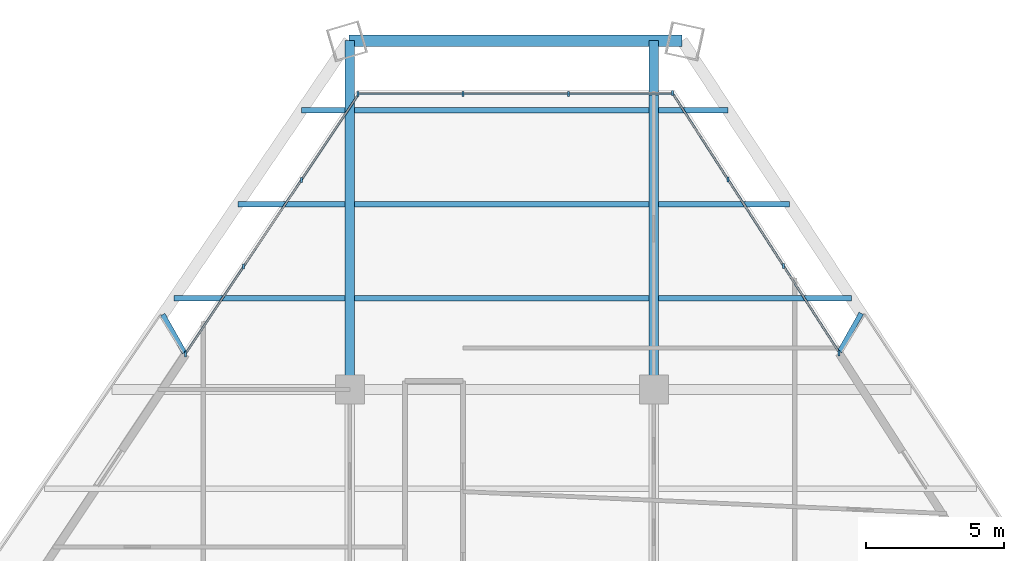
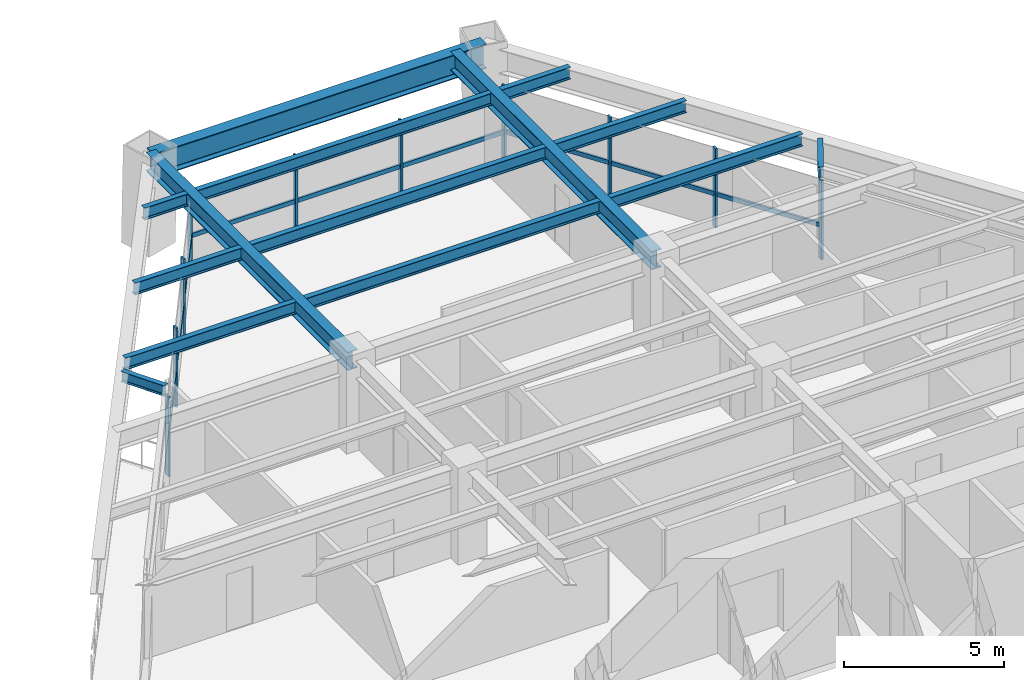
# One storey, part 8 of 15: 20 members, 14 beams, 3 elements without a shape of their own.
"""IFC4 building model written with IfcOpenShell, lengths in metres."""

import ifcopenshell
import ifcopenshell.guid

model = None  # the IFC model being written
_history = None  # IfcOwnerHistory: only IFC2X3 demands one
_inside = {}  # id of a spatial element -> (the spatial element, [elements in it])
_under = {}  # id of a project, library or spatial element -> (it, [spatial elements below it])
_declared = {}  # id of a project -> (the project, [libraries it declares])
_typed = {}  # id of a type object -> (the type object, [elements of that type])
_made_of = {}  # id of a material, layer set ... -> (it, [elements and type objects made of it])


def new_model(schema):
    """Start an empty IFC model of exactly this schema.

    Asked for "IFC4X3", IfcOpenShell would pick the latest addendum, in which some entities
    have other attributes; the version numbers below select the first issue.
    IFC2X3 requires an IfcOwnerHistory on every rooted entity: one is made here for all.
    """
    global model, _history
    if schema == "IFC4X3":
        model = ifcopenshell.file(schema_version=(4, 3, 0, 0))
    else:
        model = ifcopenshell.file(schema=schema)
    _inside.clear()
    _under.clear()
    _declared.clear()
    _typed.clear()
    _made_of.clear()
    _history = None
    if model.schema == "IFC2X3":
        org = make("IfcOrganization", Name="unknown")
        user = make(
            "IfcPersonAndOrganization",
            ThePerson=make("IfcPerson", FamilyName="unknown"),
            TheOrganization=org,
        )
        app = make(
            "IfcApplication",
            ApplicationDeveloper=org,
            Version="unknown",
            ApplicationFullName="unknown",
            ApplicationIdentifier="unknown",
        )
        _history = make(
            "IfcOwnerHistory",
            OwningUser=user,
            OwningApplication=app,
            ChangeAction="ADDED",
            CreationDate=0,
        )
    return model


def make(cls, **values):
    """One entity of the class cls with the attributes given. An attribute that is None is left unset."""
    return model.create_entity(
        cls, **{name: value for name, value in values.items() if value is not None}
    )


def rooted(cls, **values):
    """An entity with a GlobalId (a new one), such as an element, a storey or a relation."""
    return make(cls, GlobalId=ifcopenshell.guid.new(), OwnerHistory=_history, **values)


def si_unit(unit_type, name, prefix=None):
    """IfcSIUnit, for example si_unit("LENGTHUNIT", "METRE", prefix="MILLI")."""
    return make("IfcSIUnit", UnitType=unit_type, Prefix=prefix, Name=name)


def assignment(units):
    """IfcUnitAssignment: the units of a project."""
    return None if units is None else make("IfcUnitAssignment", Units=units)


def point(xyz):
    """IfcCartesianPoint."""
    return None if xyz is None else make("IfcCartesianPoint", Coordinates=xyz)


def direction(xyz):
    """IfcDirection."""
    return None if xyz is None else make("IfcDirection", DirectionRatios=xyz)


def frame(location, z_axis=None, x_axis=None):
    """IfcAxis2Placement3D, a coordinate frame: its origin and axes. An axis left out is left unset."""
    return make(
        "IfcAxis2Placement3D",
        Location=point(location),
        Axis=direction(z_axis),
        RefDirection=direction(x_axis),
    )


def frame_2d(location, x_axis=None):
    """IfcAxis2Placement2D, a coordinate frame in the plane: its origin and x axis."""
    return make(
        "IfcAxis2Placement2D", Location=point(location), RefDirection=direction(x_axis)
    )


def origin():
    """The frame at (0, 0, 0) with its axes left unset."""
    return frame((0.0, 0.0, 0.0))


def origin_2d():
    """The frame at (0, 0) in the plane with its x axis left unset."""
    return frame_2d((0.0, 0.0))


def place(relative_to, where):
    """IfcLocalPlacement: puts the frame where relative to a parent placement (None: the world)."""
    return make(
        "IfcLocalPlacement", PlacementRelTo=relative_to, RelativePlacement=where
    )


def context(
    kind, dimensions, precision=None, world=None, true_north=None, identifier=None
):
    """IfcGeometricRepresentationContext, for example the 3D "Model" context."""
    return make(
        "IfcGeometricRepresentationContext",
        ContextIdentifier=identifier,
        ContextType=kind,
        CoordinateSpaceDimension=dimensions,
        Precision=precision,
        WorldCoordinateSystem=world,
        TrueNorth=true_north,
    )


def subcontext(parent, identifier, kind, view, scale=None):
    """IfcGeometricRepresentationSubContext, for example "Body" below "Model"."""
    return make(
        "IfcGeometricRepresentationSubContext",
        ContextIdentifier=identifier,
        ContextType=kind,
        ParentContext=parent,
        TargetScale=scale,
        TargetView=view,
    )


def project(units=None, contexts=None):
    """IfcProject with its units and contexts."""
    return rooted(
        "IfcProject",
        Name="project",
        RepresentationContexts=contexts,
        UnitsInContext=assignment(units),
    )


def spatial(cls, under=None, at=None, **own):
    """A site, building, storey or space (cls), placed at a placement, below another one or the project."""
    s = rooted(cls, ObjectPlacement=at, **own)
    if under is not None:
        _under.setdefault(under.id(), (under, []))[1].append(s)
    return s


def profile(cls, at=None, kind="AREA", **sizes):
    """A parametric profile (cls). Its sizes go by their IFC names, for example OverallWidth=200.0."""
    return make(cls, ProfileType=kind, Position=at, **sizes)


def rectangle(**sizes):
    """IfcRectangleProfileDef."""
    return profile("IfcRectangleProfileDef", **sizes)


def i_section(**sizes):
    """IfcIShapeProfileDef."""
    return profile("IfcIShapeProfileDef", **sizes)


def extrude(swept, where, along, depth):
    """IfcExtrudedAreaSolid: the profile swept, set in the frame where, extruded along a direction by depth."""
    return make(
        "IfcExtrudedAreaSolid",
        SweptArea=swept,
        Position=where,
        ExtrudedDirection=direction(along),
        Depth=depth,
    )


def shape(context_of_items, identifier, shape_type, items):
    """IfcShapeRepresentation: the items that make up one representation, for example the "Body"."""
    return make(
        "IfcShapeRepresentation",
        ContextOfItems=context_of_items,
        RepresentationIdentifier=identifier,
        RepresentationType=shape_type,
        Items=items,
    )


def source(mapping_origin, context_of_items, identifier, shape_type, items):
    """IfcRepresentationMap: a shape defined once, which mapped items show again and again."""
    return make(
        "IfcRepresentationMap",
        MappingOrigin=mapping_origin,
        MappedRepresentation=shape(context_of_items, identifier, shape_type, items),
    )


def transform(
    local_origin,
    x_axis=None,
    y_axis=None,
    z_axis=None,
    scale=None,
    scale2=None,
    scale3=None,
    uniform=True,
):
    """IfcCartesianTransformationOperator3D, or its non-uniform kind. x_axis, y_axis, z_axis: its Axis1, 2, 3."""
    if uniform:
        return make(
            "IfcCartesianTransformationOperator3D",
            Axis1=direction(x_axis),
            Axis2=direction(y_axis),
            LocalOrigin=point(local_origin),
            Scale=scale,
            Axis3=direction(z_axis),
        )
    return make(
        "IfcCartesianTransformationOperator3DnonUniform",
        Axis1=direction(x_axis),
        Axis2=direction(y_axis),
        LocalOrigin=point(local_origin),
        Scale=scale,
        Axis3=direction(z_axis),
        Scale2=scale2,
        Scale3=scale3,
    )


def mapped(mapping_source, mapping_target):
    """IfcMappedItem: shows the shape of a source again, moved by a transform."""
    return make(
        "IfcMappedItem", MappingSource=mapping_source, MappingTarget=mapping_target
    )


def material(Name=None, Category=None):
    """IfcMaterial."""
    return make("IfcMaterial", Name=Name, Category=Category)


def material_profile(
    of_material, cross_section, Name=None, Category=None, Priority=None
):
    """IfcMaterialProfile: a cross section and its material."""
    return make(
        "IfcMaterialProfile",
        Name=Name,
        Material=of_material,
        Profile=cross_section,
        Priority=Priority,
        Category=Category,
    )


def profile_set(profiles, Name=None, composite=None):
    """IfcMaterialProfileSet."""
    return make(
        "IfcMaterialProfileSet",
        Name=Name,
        MaterialProfiles=profiles,
        CompositeProfile=composite,
    )


def made_of(thing, what):
    """Note that an element or type object is made of a material, layer set ...; save() writes the relation."""
    if what is not None:
        _made_of.setdefault(what.id(), (what, []))[1].append(thing)
    return thing


def type_object(cls, material=None, **own):
    """A type object (cls), such as IfcWallType, which elements share."""
    return made_of(rooted(cls, **own), material)


def type_shapes(of_type, sources):
    """Give a type object the sources (RepresentationMaps) that its elements show as mapped items."""
    of_type.RepresentationMaps = sources


def element(
    cls,
    number,
    at=None,
    inside=None,
    cuts=None,
    type_object=None,
    material=None,
    context=None,
    identifier="Body",
    shape_type=None,
    held_by="IfcProductDefinitionShape",
    body=None,
    shapes=None,
    **own,
):
    """One element of the class cls, such as IfcWall. Its Tag is "e" and its number.

    at: its placement. inside: the storey or other place that contains it. cuts: it is an
    opening in that element (IfcRelVoidsElement). A single representation is given by context,
    identifier, shape_type and body (its items); several are given by shapes. held_by: the class
    of the entity that holds the representations. save() writes the other relations.
    """
    e = rooted(cls, Tag="e%d" % number, ObjectPlacement=at, **own)
    if body is not None:
        shapes = [shape(context, identifier, shape_type, body)]
    if shapes is not None:
        e.Representation = make(held_by, Representations=shapes)
    if inside is not None:
        _inside.setdefault(inside.id(), (inside, []))[1].append(e)
    if cuts is not None:
        rooted(
            "IfcRelVoidsElement", RelatingBuildingElement=cuts, RelatedOpeningElement=e
        )
    if type_object is not None:
        _typed.setdefault(type_object.id(), (type_object, []))[1].append(e)
    return made_of(e, material)


def aggregate(whole, parts):
    """IfcRelAggregates: a whole, such as a stair, and the parts it consists of."""
    return rooted("IfcRelAggregates", RelatingObject=whole, RelatedObjects=parts)


def save(model, path):
    """Write the relations noted so far, then the file.

    IfcRelAggregates (storeys below a building ...), IfcRelContainedInSpatialStructure (elements
    in a storey), IfcRelDefinesByType, IfcRelAssociatesMaterial and IfcRelDeclares: one each for
    every whole, place, type object, material and project.
    """
    for whole, parts in _under.values():
        aggregate(whole, parts)
    for where, things in _inside.values():
        rooted(
            "IfcRelContainedInSpatialStructure",
            RelatedElements=things,
            RelatingStructure=where,
        )
    for kind, things in _typed.values():
        rooted("IfcRelDefinesByType", RelatedObjects=things, RelatingType=kind)
    for what, things in _made_of.values():
        rooted("IfcRelAssociatesMaterial", RelatedObjects=things, RelatingMaterial=what)
    for by, libraries in _declared.values():
        rooted("IfcRelDeclares", RelatingContext=by, RelatedDefinitions=libraries)
    model.write(path)


model = new_model("IFC4")

# Units and contexts
model_context = context("Model", 3, precision=1e-05, world=origin(), true_north=direction((0.0, 1.0)))
body_context = subcontext(model_context, "Body", "Model", "MODEL_VIEW")
ifc_project = project(units=[si_unit("LENGTHUNIT", "METRE"), si_unit("AREAUNIT", "SQUARE_METRE"), si_unit("VOLUMEUNIT", "CUBIC_METRE"), si_unit("PLANEANGLEUNIT", "RADIAN"), si_unit("MASSUNIT", "GRAM", prefix="KILO")], contexts=[model_context])

# Site, building, storey
site_placement = place(None, origin())
site = spatial("IfcSite", under=ifc_project, at=site_placement, CompositionType="ELEMENT")
building_placement = place(site_placement, origin())
building = spatial("IfcBuilding", under=site, at=building_placement, Name="Varnakhor Terracotta Tower", CompositionType="ELEMENT")
storey_placement = place(building_placement, frame((0.0, 0.0, 109.89990234375)))
storey = spatial("IfcBuildingStorey", under=building, at=storey_placement, Name="L27", CompositionType="ELEMENT", Elevation=109.89990234375)

# Beams
ifc_material_1 = material(Name="Steel S355", Category="steel")
ifc_material_profile_1 = material_profile(ifc_material_1, i_section(OverallWidth=0.19189453125, OverallDepth=0.462890625, WebThickness=0.010498046875, FlangeThickness=0.017578125, FilletRadius=0.01806640625, at=origin_2d()), Name="W18X60")
ifc_profile_set_1 = profile_set([ifc_material_profile_1], Name="Steel S355")
beam_type_1 = type_object("IfcBeamType", Name="JST-W18X60", PredefinedType="JOIST", material=ifc_profile_set_1)
shared_shape_1 = source(origin(), body_context, "Body", "SweptSolid", [
    extrude(i_section(OverallWidth=0.19189453125, OverallDepth=0.462890625, WebThickness=0.010498046875, FlangeThickness=0.017578125, FilletRadius=0.01806640625, at=origin_2d()), origin(), (0.0, 0.0, 1.0), 10.65283203125),
])
for number, where, z_axis, x_axis, name in (
    (1, (-5.326416015625, 34.800048828125, 3.218505859375), (1.0, 0.0, 0.0), (0.0, 1.0, 0.0), "L27 Composite Floor Joist 7-2"),
    (2, (-5.326416015625, 38.199951171875, 3.218505859375), (1.0, 0.0, 0.0), (0.0, 1.0, 0.0), "L27 Composite Floor Joist 8-2"),
    (3, (-5.326416015625, 41.60009765625, 3.218505859375), (1.0, 0.0, 0.0), (0.0, 1.0, 0.0), "L27 Composite Floor Joist 9-2"),
):
    element("IfcBeam", number, at=place(storey_placement, frame(where, z_axis=z_axis, x_axis=x_axis)), inside=storey, type_object=beam_type_1, Name=name, PredefinedType="JOIST", context=body_context, shape_type="MappedRepresentation", body=[
        mapped(shared_shape_1, transform((0.0, 0.0, 0.0), scale=1.0)),
    ])
ifc_material_profile_2 = material_profile(ifc_material_1, i_section(OverallWidth=0.41796875, OverallDepth=0.927001953125, WebThickness=0.01904296875, FlangeThickness=0.031982421875, FilletRadius=0.01806640625, at=origin_2d()), Name="W36X231")
ifc_profile_set_2 = profile_set([ifc_material_profile_2], Name="Steel S355")
beam_type_2 = type_object("IfcBeamType", Name="BM-W36X231", PredefinedType="BEAM", material=ifc_profile_set_2)
shared_shape_2 = source(origin(), body_context, "Body", "SweptSolid", [
    extrude(i_section(OverallWidth=0.41796875, OverallDepth=0.927001953125, WebThickness=0.01904296875, FlangeThickness=0.031982421875, FilletRadius=0.01806640625, at=origin_2d()), origin(), (0.0, 0.0, 1.0), 12.051025390625),
])
beam_1_placement = place(storey_placement, frame((6.5205078125, 44.118408203125, 2.986572265625), z_axis=(-1.0, 0.0, 0.0), x_axis=(0.0, -1.0, 0.0)))
element("IfcBeam", 4, at=beam_1_placement, inside=storey, type_object=beam_type_2, Name="L27 Perimeter Spandrel 5", PredefinedType="BEAM", context=body_context, shape_type="MappedRepresentation", body=[
    mapped(shared_shape_2, transform((0.0, 0.0, 0.0), scale=1.0)),
])
ifc_material_profile_3 = material_profile(ifc_material_1, i_section(OverallWidth=0.35498046875, OverallDepth=0.695068359375, WebThickness=0.014892578125, FlangeThickness=0.02490234375, FilletRadius=0.01806640625, at=origin_2d()), Name="W27X146")
ifc_profile_set_3 = profile_set([ifc_material_profile_3], Name="Steel S355")
beam_type_3 = type_object("IfcBeamType", Name="BM-W27X146", PredefinedType="BEAM", material=ifc_profile_set_3)
shared_shape_3 = source(origin(), body_context, "Body", "SweptSolid", [
    extrude(i_section(OverallWidth=0.35498046875, OverallDepth=0.695068359375, WebThickness=0.014892578125, FlangeThickness=0.02490234375, FilletRadius=0.01806640625, at=origin_2d()), origin(), (0.0, 0.0, 1.0), 12.618408203125),
])
for number, where, z_axis, x_axis, name in (
    (5, (-5.5, 31.5, 3.1025390625), (0.0, 1.0, 0.0), (-1.0, 0.0, 0.0), "L27 Primary Girder NS3-W"),
    (6, (5.5, 31.5, 3.1025390625), (0.0, 1.0, 0.0), (-1.0, 0.0, 0.0), "L27 Primary Girder NS3-E"),
):
    element("IfcBeam", number, at=place(storey_placement, frame(where, z_axis=z_axis, x_axis=x_axis)), inside=storey, type_object=beam_type_3, Name=name, PredefinedType="BEAM", context=body_context, shape_type="MappedRepresentation", body=[
        mapped(shared_shape_3, transform((0.0, 0.0, 0.0), scale=1.0)),
    ])
shared_shape_4 = source(origin(), body_context, "Body", "SweptSolid", [
    extrude(i_section(OverallWidth=0.19189453125, OverallDepth=0.462890625, WebThickness=0.010498046875, FlangeThickness=0.017578125, FilletRadius=0.01806640625, at=origin_2d()), origin(), (0.0, 0.0, 1.0), 6.1904296875),
])
beam_2_placement = place(storey_placement, frame((-11.864013671875, 34.800048828125, 3.218505859375), z_axis=(1.0, 0.0, 0.0), x_axis=(0.0, 1.0, 0.0)))
element("IfcBeam", 7, at=beam_2_placement, inside=storey, type_object=beam_type_1, Name="L27 Composite Floor Joist 7-1", PredefinedType="JOIST", context=body_context, shape_type="MappedRepresentation", body=[
    mapped(shared_shape_4, transform((0.0, 0.0, 0.0), scale=1.0)),
])
shared_shape_5 = source(origin(), body_context, "Body", "SweptSolid", [
    extrude(i_section(OverallWidth=0.19189453125, OverallDepth=0.462890625, WebThickness=0.010498046875, FlangeThickness=0.017578125, FilletRadius=0.01806640625, at=origin_2d()), origin(), (0.0, 0.0, 1.0), 6.97119140625),
])
beam_3_placement = place(storey_placement, frame((5.673583984375, 34.800048828125, 3.218505859375), z_axis=(1.0, 0.0, 0.0), x_axis=(0.0, 1.0, 0.0)))
element("IfcBeam", 8, at=beam_3_placement, inside=storey, type_object=beam_type_1, Name="L27 Composite Floor Joist 7-3", PredefinedType="JOIST", context=body_context, shape_type="MappedRepresentation", body=[
    mapped(shared_shape_5, transform((0.0, 0.0, 0.0), scale=1.0)),
])
shared_shape_6 = source(origin(), body_context, "Body", "SweptSolid", [
    extrude(i_section(OverallWidth=0.19189453125, OverallDepth=0.462890625, WebThickness=0.010498046875, FlangeThickness=0.017578125, FilletRadius=0.01806640625, at=origin_2d()), origin(), (0.0, 0.0, 1.0), 3.87939453125),
])
beam_4_placement = place(storey_placement, frame((-9.552978515625, 38.199951171875, 3.218505859375), z_axis=(1.0, 0.0, 0.0), x_axis=(0.0, 1.0, 0.0)))
element("IfcBeam", 9, at=beam_4_placement, inside=storey, type_object=beam_type_1, Name="L27 Composite Floor Joist 8-1", PredefinedType="JOIST", context=body_context, shape_type="MappedRepresentation", body=[
    mapped(shared_shape_6, transform((0.0, 0.0, 0.0), scale=1.0)),
])
shared_shape_7 = source(origin(), body_context, "Body", "SweptSolid", [
    extrude(i_section(OverallWidth=0.19189453125, OverallDepth=0.462890625, WebThickness=0.010498046875, FlangeThickness=0.017578125, FilletRadius=0.01806640625, at=origin_2d()), origin(), (0.0, 0.0, 1.0), 4.736572265625),
])
beam_5_placement = place(storey_placement, frame((5.673583984375, 38.199951171875, 3.218505859375), z_axis=(1.0, 0.0, 0.0), x_axis=(0.0, 1.0, 0.0)))
element("IfcBeam", 10, at=beam_5_placement, inside=storey, type_object=beam_type_1, Name="L27 Composite Floor Joist 8-3", PredefinedType="JOIST", context=body_context, shape_type="MappedRepresentation", body=[
    mapped(shared_shape_7, transform((0.0, 0.0, 0.0), scale=1.0)),
])
shared_shape_8 = source(origin(), body_context, "Body", "SweptSolid", [
    extrude(i_section(OverallWidth=0.19189453125, OverallDepth=0.462890625, WebThickness=0.010498046875, FlangeThickness=0.017578125, FilletRadius=0.01806640625, at=origin_2d()), origin(), (0.0, 0.0, 1.0), 1.568603515625),
])
beam_6_placement = place(storey_placement, frame((-7.2421875, 41.60009765625, 3.218505859375), z_axis=(1.0, 0.0, 0.0), x_axis=(0.0, 1.0, 0.0)))
element("IfcBeam", 11, at=beam_6_placement, inside=storey, type_object=beam_type_1, Name="L27 Composite Floor Joist 9-1", PredefinedType="JOIST", context=body_context, shape_type="MappedRepresentation", body=[
    mapped(shared_shape_8, transform((0.0, 0.0, 0.0), scale=1.0)),
])
shared_shape_9 = source(origin(), body_context, "Body", "SweptSolid", [
    extrude(i_section(OverallWidth=0.19189453125, OverallDepth=0.462890625, WebThickness=0.010498046875, FlangeThickness=0.017578125, FilletRadius=0.01806640625, at=origin_2d()), origin(), (0.0, 0.0, 1.0), 2.501953125),
])
beam_7_placement = place(storey_placement, frame((5.673583984375, 41.60009765625, 3.218505859375), z_axis=(1.0, 0.0, 0.0), x_axis=(0.0, 1.0, 0.0)))
element("IfcBeam", 12, at=beam_7_placement, inside=storey, type_object=beam_type_1, Name="L27 Composite Floor Joist 9-3", PredefinedType="JOIST", context=body_context, shape_type="MappedRepresentation", body=[
    mapped(shared_shape_9, transform((0.0, 0.0, 0.0), scale=1.0)),
])

# Curtain wall, members
ifc_material_2 = material(Name="Anodised Aluminium Curtain Wall System", Category="aluminium")
curtain_wall_type = type_object("IfcCurtainWallType", Name="CW-SYS-LOW-OFFICE", PredefinedType="NOTDEFINED", material=ifc_material_2)
curtain_wall_1_placement = place(storey_placement, origin())
curtain_wall_1 = element("IfcCurtainWall", 13, at=curtain_wall_1_placement, inside=storey, type_object=curtain_wall_type, Name="L27 W Facet Curtain Wall 2", PredefinedType="NOTDEFINED")
ifc_material_3 = material(Name="Anodised Aluminium 6063-T6", Category="aluminium")
ifc_material_profile_4 = material_profile(ifc_material_3, rectangle(XDim=0.074951171875, YDim=0.18505859375, at=origin_2d()), Name="ALU MULLION 75x185")
ifc_profile_set_4 = profile_set([ifc_material_profile_4], Name="Anodised Aluminium 6063-T6")
member_type_1 = type_object("IfcMemberType", Name="CWM-02", PredefinedType="MULLION", material=ifc_profile_set_4)
shared_shape_10 = source(origin(), body_context, "Body", "SweptSolid", [
    extrude(rectangle(XDim=0.074951171875, YDim=0.18505859375, at=origin_2d()), origin(), (0.0, 0.0, 1.0), 3.030029296875),
])
type_shapes(member_type_1, [shared_shape_10])
member_1_placement = place(storey_placement, frame((-11.437255859375, 32.799072265625, 0.0), z_axis=(0.0, 0.0, 1.0), x_axis=(1.0, 0.0, 0.0)))
member_1 = element("IfcMember", 14, at=member_1_placement, type_object=member_type_1, Name="L27 W Facet Curtain Wall 2 Mullion 1", PredefinedType="MULLION", context=body_context, shape_type="MappedRepresentation", body=[
    mapped(shared_shape_10, transform((0.0, 0.0, 0.0), scale=1.0)),
])
member_2_placement = place(storey_placement, frame((-9.343017578125, 35.939697265625, 0.0), z_axis=(0.0, 0.0, 1.0), x_axis=(1.0, 0.0, 0.0)))
member_2 = element("IfcMember", 15, at=member_2_placement, type_object=member_type_1, Name="L27 W Facet Curtain Wall 2 Mullion 2", PredefinedType="MULLION", context=body_context, shape_type="MappedRepresentation", body=[
    mapped(shared_shape_10, transform((0.0, 0.0, 0.0), scale=1.0)),
])
member_3_placement = place(storey_placement, frame((-7.248779296875, 39.080322265625, 0.0), z_axis=(0.0, 0.0, 1.0), x_axis=(1.0, 0.0, 0.0)))
member_3 = element("IfcMember", 16, at=member_3_placement, type_object=member_type_1, Name="L27 W Facet Curtain Wall 2 Mullion 3", PredefinedType="MULLION", context=body_context, shape_type="MappedRepresentation", body=[
    mapped(shared_shape_10, transform((0.0, 0.0, 0.0), scale=1.0)),
])
member_4_placement = place(storey_placement, frame((-11.437255859375, 32.76318359375, 0.0), z_axis=(0.0, 0.0, 1.0), x_axis=(1.0, 0.0, 0.0)))
member_4 = element("IfcMember", 17, at=member_4_placement, type_object=member_type_1, Name="L27 W Loggia Jamb Closure Mullion 2", PredefinedType="MULLION", context=body_context, shape_type="MappedRepresentation", body=[
    mapped(shared_shape_10, transform((0.0, 0.0, 0.0), scale=1.0)),
])

curtain_wall_2_placement = place(storey_placement, origin())
curtain_wall_2 = element("IfcCurtainWall", 18, at=curtain_wall_2_placement, inside=storey, type_object=curtain_wall_type, Name="L27 Facet Curtain Wall 2", PredefinedType="NOTDEFINED")
member_5_placement = place(storey_placement, frame((-5.20751953125, 42.192626953125, 0.0), z_axis=(0.0, 0.0, 1.0), x_axis=(1.0, 0.0, 0.0)))
member_5 = element("IfcMember", 19, at=member_5_placement, type_object=member_type_1, Name="L27 Facet Curtain Wall 2 Mullion 1", PredefinedType="MULLION", context=body_context, shape_type="MappedRepresentation", body=[
    mapped(shared_shape_10, transform((0.0, 0.0, 0.0), scale=1.0)),
])
member_6_placement = place(storey_placement, frame((-1.395751953125, 42.192626953125, 0.0), z_axis=(0.0, 0.0, 1.0), x_axis=(1.0, 0.0, 0.0)))
member_6 = element("IfcMember", 20, at=member_6_placement, type_object=member_type_1, Name="L27 Facet Curtain Wall 2 Mullion 2", PredefinedType="MULLION", context=body_context, shape_type="MappedRepresentation", body=[
    mapped(shared_shape_10, transform((0.0, 0.0, 0.0), scale=1.0)),
])
member_7_placement = place(storey_placement, frame((2.416015625, 42.192626953125, 0.0), z_axis=(0.0, 0.0, 1.0), x_axis=(1.0, 0.0, 0.0)))
member_7 = element("IfcMember", 21, at=member_7_placement, type_object=member_type_1, Name="L27 Facet Curtain Wall 2 Mullion 3", PredefinedType="MULLION", context=body_context, shape_type="MappedRepresentation", body=[
    mapped(shared_shape_10, transform((0.0, 0.0, 0.0), scale=1.0)),
])

curtain_wall_3_placement = place(storey_placement, origin())
curtain_wall_3 = element("IfcCurtainWall", 22, at=curtain_wall_3_placement, inside=storey, type_object=curtain_wall_type, Name="L27 E Facet Curtain Wall 1", PredefinedType="NOTDEFINED")
member_8_placement = place(storey_placement, frame((6.173095703125, 42.222412109375, 0.0), z_axis=(0.0, 0.0, 1.0), x_axis=(1.0, 0.0, 0.0)))
member_8 = element("IfcMember", 23, at=member_8_placement, type_object=member_type_1, Name="L27 E Facet Curtain Wall 1 Mullion 1", PredefinedType="MULLION", context=body_context, shape_type="MappedRepresentation", body=[
    mapped(shared_shape_10, transform((0.0, 0.0, 0.0), scale=1.0)),
])
member_9_placement = place(storey_placement, frame((8.182861328125, 39.095458984375, 0.0), z_axis=(0.0, 0.0, 1.0), x_axis=(1.0, 0.0, 0.0)))
member_9 = element("IfcMember", 24, at=member_9_placement, type_object=member_type_1, Name="L27 E Facet Curtain Wall 1 Mullion 2", PredefinedType="MULLION", context=body_context, shape_type="MappedRepresentation", body=[
    mapped(shared_shape_10, transform((0.0, 0.0, 0.0), scale=1.0)),
])
member_10_placement = place(storey_placement, frame((10.192626953125, 35.968505859375, 0.0), z_axis=(0.0, 0.0, 1.0), x_axis=(1.0, 0.0, 0.0)))
member_10 = element("IfcMember", 25, at=member_10_placement, type_object=member_type_1, Name="L27 E Facet Curtain Wall 1 Mullion 3", PredefinedType="MULLION", context=body_context, shape_type="MappedRepresentation", body=[
    mapped(shared_shape_10, transform((0.0, 0.0, 0.0), scale=1.0)),
])
member_11_placement = place(storey_placement, frame((12.201904296875, 32.8056640625, 0.0), z_axis=(0.0, 0.0, 1.0), x_axis=(1.0, 0.0, 0.0)))
member_11 = element("IfcMember", 26, at=member_11_placement, type_object=member_type_1, Name="L27 E Loggia Jamb Closure Mullion 1", PredefinedType="MULLION", context=body_context, shape_type="MappedRepresentation", body=[
    mapped(shared_shape_10, transform((0.0, 0.0, 0.0), scale=1.0)),
])

# Member
ifc_material_profile_5 = material_profile(ifc_material_3, rectangle(XDim=0.074951171875, YDim=0.1650390625, at=origin_2d()), Name="ALU TRANSOM 75x165")
ifc_profile_set_5 = profile_set([ifc_material_profile_5], Name="Anodised Aluminium 6063-T6")
member_type_2 = type_object("IfcMemberType", Name="CWT-02", PredefinedType="USERDEFINED", material=ifc_profile_set_5)
shared_shape_11 = source(origin(), body_context, "Body", "SweptSolid", [
    extrude(rectangle(XDim=0.074951171875, YDim=0.1650390625, at=origin_2d()), origin(), (0.0, 0.0, 1.0), 3.77490234375),
])
member_12_placement = place(storey_placement, frame((-11.437255859375, 32.799072265625, 1.272705078125), z_axis=(0.554789744238, 0.831990588702, 0.0), x_axis=(-0.831990588702, 0.554789744238, 0.0)))
member_12 = element("IfcMember", 27, at=member_12_placement, type_object=member_type_2, Name="L27 W Facet Curtain Wall 2 Transom 1", ObjectType="TRANSOM", PredefinedType="USERDEFINED", context=body_context, shape_type="MappedRepresentation", body=[
    mapped(shared_shape_11, transform((0.0, 0.0, 0.0), scale=1.0)),
])

member_13_placement = place(storey_placement, frame((-9.343017578125, 35.939697265625, 1.272705078125), z_axis=(0.554789744238, 0.831990588702, 0.0), x_axis=(-0.831990588702, 0.554789744238, 0.0)))
member_13 = element("IfcMember", 28, at=member_13_placement, type_object=member_type_2, Name="L27 W Facet Curtain Wall 2 Transom 2", ObjectType="TRANSOM", PredefinedType="USERDEFINED", context=body_context, shape_type="MappedRepresentation", body=[
    mapped(shared_shape_11, transform((0.0, 0.0, 0.0), scale=1.0)),
])

shared_shape_12 = source(origin(), body_context, "Body", "SweptSolid", [
    extrude(rectangle(XDim=0.074951171875, YDim=0.1650390625, at=origin_2d()), origin(), (0.0, 0.0, 1.0), 3.775146484375),
])
member_14_placement = place(storey_placement, frame((-7.248779296875, 39.080322265625, 1.272705078125), z_axis=(0.554804658913, 0.831980643073, 0.0), x_axis=(-0.831980643073, 0.554804658913, 0.0)))
member_14 = element("IfcMember", 29, at=member_14_placement, type_object=member_type_2, Name="L27 W Facet Curtain Wall 2 Transom 3", ObjectType="TRANSOM", PredefinedType="USERDEFINED", context=body_context, shape_type="MappedRepresentation", body=[
    mapped(shared_shape_12, transform((0.0, 0.0, 0.0), scale=1.0)),
])

aggregate(curtain_wall_1, [member_1, member_12, member_2, member_13, member_3, member_14, member_4])

shared_shape_13 = source(origin(), body_context, "Body", "SweptSolid", [
    extrude(rectangle(XDim=0.074951171875, YDim=0.1650390625, at=origin_2d()), origin(), (0.0, 0.0, 1.0), 3.811767578125),
])
member_15_placement = place(storey_placement, frame((-5.20751953125, 42.192626953125, 1.272705078125), z_axis=(1.0, 0.0, 0.0), x_axis=(0.0, 1.0, 0.0)))
member_15 = element("IfcMember", 30, at=member_15_placement, type_object=member_type_2, Name="L27 Facet Curtain Wall 2 Transom 1", ObjectType="TRANSOM", PredefinedType="USERDEFINED", context=body_context, shape_type="MappedRepresentation", body=[
    mapped(shared_shape_13, transform((0.0, 0.0, 0.0), scale=1.0)),
])

member_16_placement = place(storey_placement, frame((-1.395751953125, 42.192626953125, 1.272705078125), z_axis=(1.0, 0.0, 0.0), x_axis=(0.0, 1.0, 0.0)))
member_16 = element("IfcMember", 31, at=member_16_placement, type_object=member_type_2, Name="L27 Facet Curtain Wall 2 Transom 2", ObjectType="TRANSOM", PredefinedType="USERDEFINED", context=body_context, shape_type="MappedRepresentation", body=[
    mapped(shared_shape_13, transform((0.0, 0.0, 0.0), scale=1.0)),
])

member_17_placement = place(storey_placement, frame((2.416015625, 42.192626953125, 1.272705078125), z_axis=(1.0, 0.0, 0.0), x_axis=(0.0, 1.0, 0.0)))
member_17 = element("IfcMember", 32, at=member_17_placement, type_object=member_type_2, Name="L27 Facet Curtain Wall 2 Transom 3", ObjectType="TRANSOM", PredefinedType="USERDEFINED", context=body_context, shape_type="MappedRepresentation", body=[
    mapped(shared_shape_13, transform((0.0, 0.0, 0.0), scale=1.0)),
])

aggregate(curtain_wall_2, [member_5, member_15, member_6, member_16, member_7, member_17])

shared_shape_14 = source(origin(), body_context, "Body", "SweptSolid", [
    extrude(rectangle(XDim=0.074951171875, YDim=0.1650390625, at=origin_2d()), origin(), (0.0, 0.0, 1.0), 3.717041015625),
])
member_18_placement = place(storey_placement, frame((6.173095703125, 42.222412109375, 1.272705078125), z_axis=(0.540677919262, -0.841229687792, 0.0), x_axis=(0.841229687792, 0.540677919262, 0.0)))
member_18 = element("IfcMember", 33, at=member_18_placement, type_object=member_type_2, Name="L27 E Facet Curtain Wall 1 Transom 1", ObjectType="TRANSOM", PredefinedType="USERDEFINED", context=body_context, shape_type="MappedRepresentation", body=[
    mapped(shared_shape_14, transform((0.0, 0.0, 0.0), scale=1.0)),
])

member_19_placement = place(storey_placement, frame((8.182861328125, 39.095458984375, 1.272705078125), z_axis=(0.540677919262, -0.841229687792, 0.0), x_axis=(0.841229687792, 0.540677919262, 0.0)))
member_19 = element("IfcMember", 34, at=member_19_placement, type_object=member_type_2, Name="L27 E Facet Curtain Wall 1 Transom 2", ObjectType="TRANSOM", PredefinedType="USERDEFINED", context=body_context, shape_type="MappedRepresentation", body=[
    mapped(shared_shape_14, transform((0.0, 0.0, 0.0), scale=1.0)),
])

member_20_placement = place(storey_placement, frame((10.192626953125, 35.968505859375, 1.272705078125), z_axis=(0.540677919262, -0.841229687792, 0.0), x_axis=(0.841229687792, 0.540677919262, 0.0)))
member_20 = element("IfcMember", 35, at=member_20_placement, type_object=member_type_2, Name="L27 E Facet Curtain Wall 1 Transom 3", ObjectType="TRANSOM", PredefinedType="USERDEFINED", context=body_context, shape_type="MappedRepresentation", body=[
    mapped(shared_shape_14, transform((0.0, 0.0, 0.0), scale=1.0)),
])

aggregate(curtain_wall_3, [member_8, member_18, member_9, member_19, member_10, member_20, member_11])

# Beams
ifc_material_profile_6 = material_profile(ifc_material_1, i_section(OverallWidth=0.179931640625, OverallDepth=0.39990234375, WebThickness=0.008544921875, FlangeThickness=0.013427734375, FilletRadius=0.01806640625, at=origin_2d()), Name="IPE400")
ifc_profile_set_6 = profile_set([ifc_material_profile_6], Name="Steel S355")
beam_type_4 = type_object("IfcBeamType", Name="JST-IPE400", PredefinedType="JOIST", material=ifc_profile_set_6)
shared_shape_15 = source(origin(), body_context, "Body", "SweptSolid", [
    extrude(i_section(OverallWidth=0.179931640625, OverallDepth=0.39990234375, WebThickness=0.008544921875, FlangeThickness=0.013427734375, FilletRadius=0.01806640625, at=origin_2d()), origin(), (0.0, 0.0, 1.0), 1.59033203125),
])
beam_8_placement = place(storey_placement, frame((-11.483642578125, 32.822509765625, 3.25), z_axis=(-0.492613574913, 0.870248163348, 0.0), x_axis=(-0.870248163348, -0.492613574913, 0.0)))
element("IfcBeam", 36, at=beam_8_placement, inside=storey, type_object=beam_type_4, Name="L28 W Loggia Tie Beam 2", PredefinedType="JOIST", context=body_context, shape_type="MappedRepresentation", body=[
    mapped(shared_shape_15, transform((0.0, 0.0, 0.0), scale=1.0)),
])
shared_shape_16 = source(origin(), body_context, "Body", "SweptSolid", [
    extrude(i_section(OverallWidth=0.179931640625, OverallDepth=0.39990234375, WebThickness=0.008544921875, FlangeThickness=0.013427734375, FilletRadius=0.01806640625, at=origin_2d()), origin(), (0.0, 0.0, 1.0), 1.59130859375),
])
beam_9_placement = place(storey_placement, frame((12.22412109375, 32.86474609375, 3.25), z_axis=(0.491273436326, 0.871005402256, 0.0), x_axis=(-0.871005402256, 0.491273436326, 0.0)))
element("IfcBeam", 37, at=beam_9_placement, inside=storey, type_object=beam_type_4, Name="L28 E Loggia Tie Beam 1", PredefinedType="JOIST", context=body_context, shape_type="MappedRepresentation", body=[
    mapped(shared_shape_16, transform((0.0, 0.0, 0.0), scale=1.0)),
])

save(model, "model.ifc")
